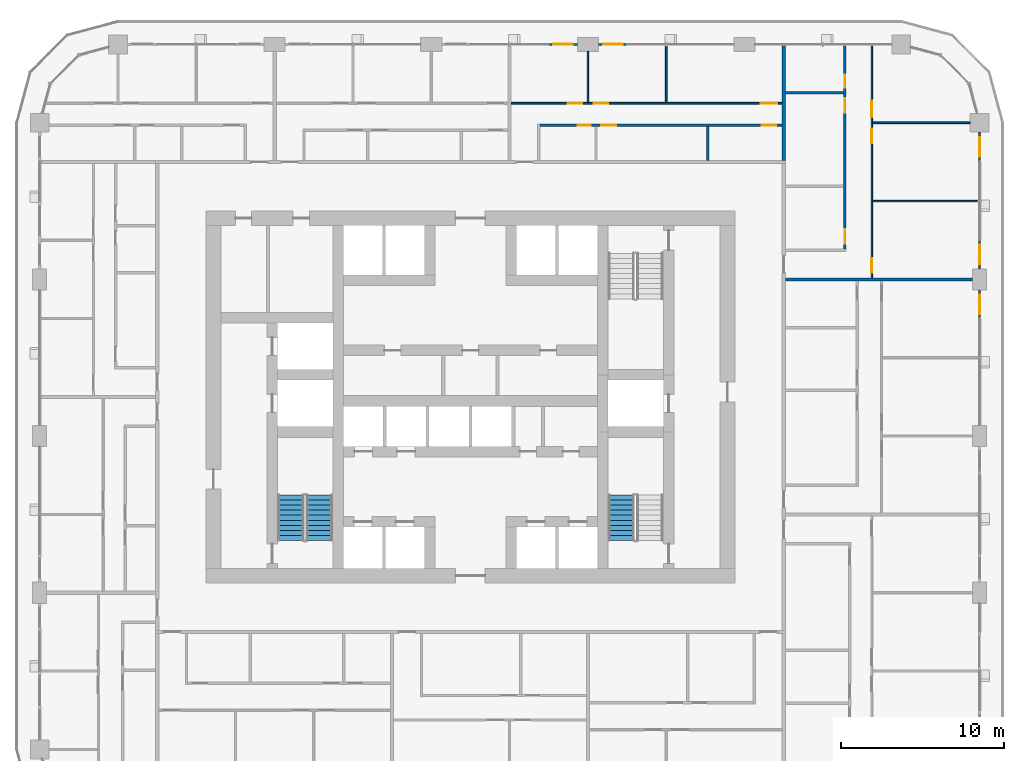
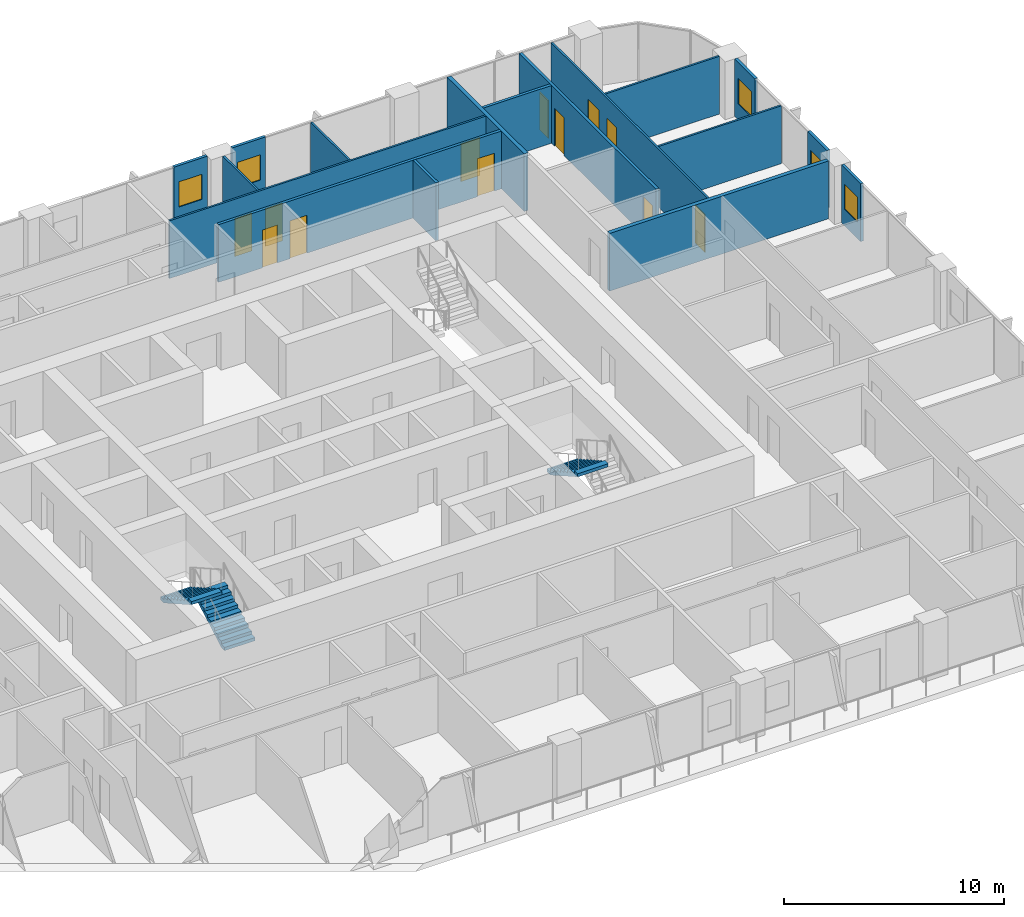
# One storey, part 15 of 22: 17 walls, 12 doors, 5 windows, 3 stair flights, 17 openings, 2 elements without a shape of their own.
"""IFC4 building model written with IfcOpenShell, lengths in metres."""

from ifc_helpers import new_model, si_unit, direction, frame, frame_2d, origin, place, context, subcontext, project, spatial, polyline, rectangle, outline, extrude, material, layer, layer_set, type_object, element, fill, aggregate, save


model = new_model("IFC4")

# Units and contexts
model_context = context("Model", 3, precision=1e-05, world=origin(), true_north=direction((0.0, 1.0)))
body_context = subcontext(model_context, "Body", "Model", "MODEL_VIEW")
ifc_project = project(units=[si_unit("LENGTHUNIT", "METRE"), si_unit("AREAUNIT", "SQUARE_METRE"), si_unit("VOLUMEUNIT", "CUBIC_METRE"), si_unit("PLANEANGLEUNIT", "RADIAN"), si_unit("MASSUNIT", "GRAM", prefix="KILO")], contexts=[model_context])

# Site, building, storey
site_placement = place(None, origin())
site = spatial("IfcSite", under=ifc_project, at=site_placement, CompositionType="ELEMENT")
building_placement = place(site_placement, origin())
building = spatial("IfcBuilding", under=site, at=building_placement, Name="Madar Terraces", CompositionType="ELEMENT")
storey_placement = place(building_placement, frame((0.0, 0.0, 76.800048828125)))
storey = spatial("IfcBuildingStorey", under=building, at=storey_placement, Name="L19", CompositionType="ELEMENT", Elevation=76.800048828125)

# Wall, opening, window
ifc_material_1 = material(Name="Aluminium composite panel, black, over insulated backing", Category="aluminium")
ifc_layer_1 = layer(ifc_material_1, 0.14990234375)
ifc_layer_set_1 = layer_set([ifc_layer_1], Name="Facade bay panel 150")
wall_type_1 = type_object("IfcWallType", Name="Facade bay panel 150", PredefinedType="SOLIDWALL", material=ifc_layer_set_1)
wall_1_placement = place(storey_placement, frame((62.39990234375, 31.199951171875, 0.0), z_axis=(0.0, 0.0, 1.0), x_axis=(0.0, 1.0, 0.0)))
wall_1 = element("IfcWall", 1, at=wall_1_placement, inside=storey, type_object=wall_type_1, Name="Facade bay panel", PredefinedType="SOLIDWALL", context=body_context, shape_type="SweptSolid", body=[
    extrude(rectangle(XDim=1.75, YDim=0.14990234375, at=frame_2d((0.875, 0.0))), origin(), (0.0, 0.0, 1.0), 3.199951171875),
])
opening_1_placement = place(wall_1_placement, frame((0.27490234375, 0.0, 0.89990234375)))
opening_1 = element("IfcOpeningElement", 2, at=opening_1_placement, cuts=wall_1, Name="Opening W1", PredefinedType="OPENING", context=body_context, shape_type="SweptSolid", body=[
    extrude(rectangle(XDim=1.199951171875, YDim=1.39990234375, at=frame_2d((0.60009765625, 0.699951171875))), frame((0.0, 0.0849609375, 0.0), z_axis=(0.0, -1.0, 0.0), x_axis=(1.0, 0.0, 0.0)), (0.0, 0.0, 1.0), 0.169921875),
])
ifc_material_2 = material(Name="Glass, clear, with black aluminium frame", Category="aluminium")
window_type = type_object("IfcWindowType", Name="Vent window 1200 x 1400", PartitioningType="SINGLE_PANEL", PredefinedType="WINDOW", material=ifc_material_2)
window_1_placement = place(opening_1_placement, origin())
window_1 = element("IfcWindow", 3, at=window_1_placement, inside=storey, type_object=window_type, Name="Operable vent window", OverallHeight=1.39990234375, OverallWidth=1.199951171875, PartitioningType="SINGLE_PANEL", PredefinedType="WINDOW", context=body_context, shape_type="SweptSolid", body=[
    extrude(rectangle(XDim=1.199951171875, YDim=1.39990234375, at=frame_2d((0.60009765625, 0.699951171875))), frame((0.0, 0.030029296875, 0.0), z_axis=(0.0, -1.0, 0.0), x_axis=(1.0, 0.0, 0.0)), (0.0, 0.0, 1.0), 0.06005859375),
])
fill(opening_1, window_1)

wall_2_placement = place(storey_placement, frame((62.39990234375, 34.25, 0.0), z_axis=(0.0, 0.0, 1.0), x_axis=(0.0, 1.0, 0.0)))
wall_2 = element("IfcWall", 4, at=wall_2_placement, inside=storey, type_object=wall_type_1, Name="Facade bay panel", PredefinedType="SOLIDWALL", context=body_context, shape_type="SweptSolid", body=[
    extrude(rectangle(XDim=1.75, YDim=0.14990234375, at=frame_2d((0.875, 0.0))), origin(), (0.0, 0.0, 1.0), 3.199951171875),
])
opening_2_placement = place(wall_2_placement, frame((0.27490234375, 0.0, 0.89990234375)))
opening_2 = element("IfcOpeningElement", 5, at=opening_2_placement, cuts=wall_2, Name="Opening W1", PredefinedType="OPENING", context=body_context, shape_type="SweptSolid", body=[
    extrude(rectangle(XDim=1.199951171875, YDim=1.39990234375, at=frame_2d((0.60009765625, 0.699951171875))), frame((0.0, 0.0849609375, 0.0), z_axis=(0.0, -1.0, 0.0), x_axis=(1.0, 0.0, 0.0)), (0.0, 0.0, 1.0), 0.169921875),
])
window_2_placement = place(opening_2_placement, origin())
window_2 = element("IfcWindow", 6, at=window_2_placement, inside=storey, type_object=window_type, Name="Operable vent window", OverallHeight=1.39990234375, OverallWidth=1.199951171875, PartitioningType="SINGLE_PANEL", PredefinedType="WINDOW", context=body_context, shape_type="SweptSolid", body=[
    extrude(rectangle(XDim=1.199951171875, YDim=1.39990234375, at=frame_2d((0.60009765625, 0.699951171875))), frame((0.0, 0.030029296875, 0.0), z_axis=(0.0, -1.0, 0.0), x_axis=(1.0, 0.0, 0.0)), (0.0, 0.0, 1.0), 0.06005859375),
])
fill(opening_2, window_2)

wall_3_placement = place(storey_placement, frame((62.39990234375, 40.800048828125, 0.0), z_axis=(0.0, 0.0, 1.0), x_axis=(0.0, 1.0, 0.0)))
wall_3 = element("IfcWall", 7, at=wall_3_placement, inside=storey, type_object=wall_type_1, Name="Facade bay panel", PredefinedType="SOLIDWALL", context=body_context, shape_type="SweptSolid", body=[
    extrude(rectangle(XDim=1.824951171875, YDim=0.14990234375, at=frame_2d((0.91259765625, 0.0))), origin(), (0.0, 0.0, 1.0), 3.199951171875),
])
opening_3_placement = place(wall_3_placement, frame((0.3125, 0.0, 0.89990234375)))
opening_3 = element("IfcOpeningElement", 8, at=opening_3_placement, cuts=wall_3, Name="Opening W1", PredefinedType="OPENING", context=body_context, shape_type="SweptSolid", body=[
    extrude(rectangle(XDim=1.199951171875, YDim=1.39990234375, at=frame_2d((0.60009765625, 0.699951171875))), frame((0.0, 0.0849609375, 0.0), z_axis=(0.0, -1.0, 0.0), x_axis=(1.0, 0.0, 0.0)), (0.0, 0.0, 1.0), 0.169921875),
])
window_3_placement = place(opening_3_placement, origin())
window_3 = element("IfcWindow", 9, at=window_3_placement, inside=storey, type_object=window_type, Name="Operable vent window", OverallHeight=1.39990234375, OverallWidth=1.199951171875, PartitioningType="SINGLE_PANEL", PredefinedType="WINDOW", context=body_context, shape_type="SweptSolid", body=[
    extrude(rectangle(XDim=1.199951171875, YDim=1.39990234375, at=frame_2d((0.60009765625, 0.699951171875))), frame((0.0, 0.030029296875, 0.0), z_axis=(0.0, -1.0, 0.0), x_axis=(1.0, 0.0, 0.0)), (0.0, 0.0, 1.0), 0.06005859375),
])
fill(opening_3, window_3)

wall_4_placement = place(storey_placement, frame((40.800048828125, 48.0, 0.0), z_axis=(0.0, 0.0, 1.0), x_axis=(-1.0, 0.0, 0.0)))
wall_4 = element("IfcWall", 10, at=wall_4_placement, inside=storey, type_object=wall_type_1, Name="Facade bay panel", PredefinedType="SOLIDWALL", context=body_context, shape_type="SweptSolid", body=[
    extrude(rectangle(XDim=1.75, YDim=0.14990234375, at=frame_2d((0.875, 0.0))), origin(), (0.0, 0.0, 1.0), 3.199951171875),
])
opening_4_placement = place(wall_4_placement, frame((0.27490234375, 0.0, 0.89990234375)))
opening_4 = element("IfcOpeningElement", 11, at=opening_4_placement, cuts=wall_4, Name="Opening W1", PredefinedType="OPENING", context=body_context, shape_type="SweptSolid", body=[
    extrude(rectangle(XDim=1.199951171875, YDim=1.39990234375, at=frame_2d((0.60009765625, 0.699951171875))), frame((0.0, 0.0849609375, 0.0), z_axis=(0.0, -1.0, 0.0), x_axis=(1.0, 0.0, 0.0)), (0.0, 0.0, 1.0), 0.169921875),
])
window_4_placement = place(opening_4_placement, origin())
window_4 = element("IfcWindow", 12, at=window_4_placement, inside=storey, type_object=window_type, Name="Operable vent window", OverallHeight=1.39990234375, OverallWidth=1.199951171875, PartitioningType="SINGLE_PANEL", PredefinedType="WINDOW", context=body_context, shape_type="SweptSolid", body=[
    extrude(rectangle(XDim=1.199951171875, YDim=1.39990234375, at=frame_2d((0.60009765625, 0.699951171875))), frame((0.0, 0.030029296875, 0.0), z_axis=(0.0, -1.0, 0.0), x_axis=(1.0, 0.0, 0.0)), (0.0, 0.0, 1.0), 0.06005859375),
])
fill(opening_4, window_4)

wall_5_placement = place(storey_placement, frame((37.75, 48.0, 0.0), z_axis=(0.0, 0.0, 1.0), x_axis=(-1.0, 0.0, 0.0)))
wall_5 = element("IfcWall", 13, at=wall_5_placement, inside=storey, type_object=wall_type_1, Name="Facade bay panel", PredefinedType="SOLIDWALL", context=body_context, shape_type="SweptSolid", body=[
    extrude(rectangle(XDim=1.75, YDim=0.14990234375, at=frame_2d((0.875, 0.0))), origin(), (0.0, 0.0, 1.0), 3.199951171875),
])
opening_5_placement = place(wall_5_placement, frame((0.27490234375, 0.0, 0.89990234375)))
opening_5 = element("IfcOpeningElement", 14, at=opening_5_placement, cuts=wall_5, Name="Opening W1", PredefinedType="OPENING", context=body_context, shape_type="SweptSolid", body=[
    extrude(rectangle(XDim=1.199951171875, YDim=1.39990234375, at=frame_2d((0.60009765625, 0.699951171875))), frame((0.0, 0.0849609375, 0.0), z_axis=(0.0, -1.0, 0.0), x_axis=(1.0, 0.0, 0.0)), (0.0, 0.0, 1.0), 0.169921875),
])
window_5_placement = place(opening_5_placement, origin())
window_5 = element("IfcWindow", 15, at=window_5_placement, inside=storey, type_object=window_type, Name="Operable vent window", OverallHeight=1.39990234375, OverallWidth=1.199951171875, PartitioningType="SINGLE_PANEL", PredefinedType="WINDOW", context=body_context, shape_type="SweptSolid", body=[
    extrude(rectangle(XDim=1.199951171875, YDim=1.39990234375, at=frame_2d((0.60009765625, 0.699951171875))), frame((0.0, 0.030029296875, 0.0), z_axis=(0.0, -1.0, 0.0), x_axis=(1.0, 0.0, 0.0)), (0.0, 0.0, 1.0), 0.06005859375),
])
fill(opening_5, window_5)

# Walls
ifc_material_3 = material(Name="Gypsum board on steel studs", Category="steel")
ifc_layer_2 = layer(ifc_material_3, 0.10009765625)
ifc_layer_set_2 = layer_set([ifc_layer_2], Name="Flat partition 100")
wall_type_2 = type_object("IfcWallType", Name="Flat partition 100", PredefinedType="PARTITIONING", material=ifc_layer_set_2)
wall_6_placement = place(storey_placement, frame((55.85009765625, 38.39990234375, 0.0), z_axis=(0.0, 0.0, 1.0), x_axis=(1.0, 0.0, 0.0)))
element("IfcWall", 16, at=wall_6_placement, inside=storey, type_object=wall_type_2, Name="Flat partition 100", PredefinedType="PARTITIONING", context=body_context, shape_type="SweptSolid", body=[
    extrude(rectangle(XDim=6.449951171875, YDim=0.10009765625, at=frame_2d((3.22509765625, 0.0))), origin(), (0.0, 0.0, 1.0), 3.199951171875),
])
wall_7_placement = place(storey_placement, frame((55.85009765625, 43.199951171875, 0.0), z_axis=(0.0, 0.0, 1.0), x_axis=(1.0, 0.0, 0.0)))
element("IfcWall", 17, at=wall_7_placement, inside=storey, type_object=wall_type_2, Name="Flat partition 100", PredefinedType="PARTITIONING", context=body_context, shape_type="SweptSolid", body=[
    extrude(rectangle(XDim=5.974853515625, YDim=0.10009765625, at=frame_2d((2.9873046875, 0.0))), origin(), (0.0, 0.0, 1.0), 3.199951171875),
])

# Wall, openings, doors
wall_8_placement = place(storey_placement, frame((55.800048828125, 47.89990234375, 0.0), z_axis=(0.0, 0.0, 1.0), x_axis=(0.0, -1.0, 0.0)))
wall_8 = element("IfcWall", 18, at=wall_8_placement, inside=storey, type_object=wall_type_2, Name="Flat partition 100", PredefinedType="PARTITIONING", context=body_context, shape_type="SweptSolid", body=[
    extrude(rectangle(XDim=14.199951171875, YDim=0.10009765625, at=frame_2d((7.10009765625, 0.0))), origin(), (0.0, 0.0, 1.0), 3.199951171875),
])
opening_6_placement = place(wall_8_placement, frame((13.0, 0.0, 0.0)))
opening_6 = element("IfcOpeningElement", 19, at=opening_6_placement, cuts=wall_8, Name="Opening D2", PredefinedType="OPENING", context=body_context, shape_type="SweptSolid", body=[
    extrude(rectangle(XDim=0.89990234375, YDim=2.10009765625, at=frame_2d((0.449951171875, 1.050048828125))), frame((0.0, 0.06005859375, 0.0), z_axis=(0.0, -1.0, 0.0), x_axis=(1.0, 0.0, 0.0)), (0.0, 0.0, 1.0), 0.1201171875),
])
opening_7_placement = place(wall_8_placement, frame((5.050048828125, 0.0, 0.0)))
opening_7 = element("IfcOpeningElement", 20, at=opening_7_placement, cuts=wall_8, Name="Opening D2", PredefinedType="OPENING", context=body_context, shape_type="SweptSolid", body=[
    extrude(rectangle(XDim=0.89990234375, YDim=2.10009765625, at=frame_2d((0.449951171875, 1.050048828125))), frame((0.0, 0.06005859375, 0.0), z_axis=(0.0, -1.0, 0.0), x_axis=(1.0, 0.0, 0.0)), (0.0, 0.0, 1.0), 0.1201171875),
])
opening_8_placement = place(wall_8_placement, frame((3.35009765625, 0.0, 0.0)))
opening_8 = element("IfcOpeningElement", 21, at=opening_8_placement, cuts=wall_8, Name="Opening D3", PredefinedType="OPENING", context=body_context, shape_type="SweptSolid", body=[
    extrude(rectangle(XDim=1.0, YDim=2.10009765625, at=frame_2d((0.5, 1.050048828125))), frame((0.0, 0.06005859375, 0.0), z_axis=(0.0, -1.0, 0.0), x_axis=(1.0, 0.0, 0.0)), (0.0, 0.0, 1.0), 0.1201171875),
])
ifc_material_4 = material(Name="Timber door leaf", Category="wood")
door_type_1 = type_object("IfcDoorType", Name="Flat living room door 1000", OperationType="NOTDEFINED", PredefinedType="DOOR", material=ifc_material_4)
door_1_placement = place(opening_8_placement, origin())
door_1 = element("IfcDoor", 22, at=door_1_placement, inside=storey, type_object=door_type_1, Name="Flat living room door 1000", OperationType="SINGLE_SWING_RIGHT", OverallHeight=2.10009765625, OverallWidth=1.0, PredefinedType="DOOR", context=body_context, shape_type="SweptSolid", body=[
    extrude(rectangle(XDim=1.0, YDim=2.10009765625, at=frame_2d((0.5, 1.050048828125))), frame((0.0, 0.02490234375, 0.0), z_axis=(0.0, -1.0, 0.0), x_axis=(1.0, 0.0, 0.0)), (0.0, 0.0, 1.0), 0.050048828125),
])
fill(opening_8, door_1)
ifc_material_5 = material(Name="Timber door leaf", Category="wood")
door_type_2 = type_object("IfcDoorType", Name="Flat room door 900", OperationType="NOTDEFINED", PredefinedType="DOOR", material=ifc_material_5)
door_2_placement = place(opening_6_placement, origin())
door_2 = element("IfcDoor", 23, at=door_2_placement, inside=storey, type_object=door_type_2, Name="Flat room door 900", OperationType="SINGLE_SWING_RIGHT", OverallHeight=2.10009765625, OverallWidth=0.89990234375, PredefinedType="DOOR", context=body_context, shape_type="SweptSolid", body=[
    extrude(rectangle(XDim=0.89990234375, YDim=2.10009765625, at=frame_2d((0.449951171875, 1.050048828125))), frame((0.0, 0.02490234375, 0.0), z_axis=(0.0, -1.0, 0.0), x_axis=(1.0, 0.0, 0.0)), (0.0, 0.0, 1.0), 0.050048828125),
])
fill(opening_6, door_2)
door_3_placement = place(opening_7_placement, origin())
door_3 = element("IfcDoor", 24, at=door_3_placement, inside=storey, type_object=door_type_2, Name="Flat room door 900", OperationType="SINGLE_SWING_LEFT", OverallHeight=2.10009765625, OverallWidth=0.89990234375, PredefinedType="DOOR", context=body_context, shape_type="SweptSolid", body=[
    extrude(rectangle(XDim=0.89990234375, YDim=2.10009765625, at=frame_2d((0.449951171875, 1.050048828125))), frame((0.0, 0.02490234375, 0.0), z_axis=(0.0, -1.0, 0.0), x_axis=(1.0, 0.0, 0.0)), (0.0, 0.0, 1.0), 0.050048828125),
])
fill(opening_7, door_3)

# Walls
wall_9_placement = place(storey_placement, frame((38.39990234375, 44.449951171875, 0.0), z_axis=(0.0, 0.0, 1.0), x_axis=(0.0, 1.0, 0.0)))
element("IfcWall", 25, at=wall_9_placement, inside=storey, type_object=wall_type_2, Name="Flat partition 100", PredefinedType="PARTITIONING", context=body_context, shape_type="SweptSolid", body=[
    extrude(rectangle(XDim=3.125, YDim=0.10009765625, at=frame_2d((1.5625, 0.0))), origin(), (0.0, 0.0, 1.0), 3.199951171875),
])
wall_10_placement = place(storey_placement, frame((43.199951171875, 44.449951171875, 0.0), z_axis=(0.0, 0.0, 1.0), x_axis=(0.0, 1.0, 0.0)))
element("IfcWall", 26, at=wall_10_placement, inside=storey, type_object=wall_type_2, Name="Flat partition 100", PredefinedType="PARTITIONING", context=body_context, shape_type="SweptSolid", body=[
    extrude(rectangle(XDim=3.449951171875, YDim=0.10009765625, at=frame_2d((1.72509765625, 0.0))), origin(), (0.0, 0.0, 1.0), 3.199951171875),
])

# Wall, openings, doors
wall_11_placement = place(storey_placement, frame((33.699951171875, 44.39990234375, 0.0), z_axis=(0.0, 0.0, 1.0), x_axis=(1.0, 0.0, 0.0)))
wall_11 = element("IfcWall", 27, at=wall_11_placement, inside=storey, type_object=wall_type_2, Name="Flat partition 100", PredefinedType="PARTITIONING", context=body_context, shape_type="SweptSolid", body=[
    extrude(rectangle(XDim=16.60009765625, YDim=0.10009765625, at=frame_2d((8.300048828125, 0.0))), origin(), (0.0, 0.0, 1.0), 3.199951171875),
])
opening_9_placement = place(wall_11_placement, frame((3.449951171875, 0.0, 0.0)))
opening_9 = element("IfcOpeningElement", 28, at=opening_9_placement, cuts=wall_11, Name="Opening D2", PredefinedType="OPENING", context=body_context, shape_type="SweptSolid", body=[
    extrude(rectangle(XDim=0.89990234375, YDim=2.10009765625, at=frame_2d((0.449951171875, 1.050048828125))), frame((0.0, 0.06005859375, 0.0), z_axis=(0.0, -1.0, 0.0), x_axis=(1.0, 0.0, 0.0)), (0.0, 0.0, 1.0), 0.1201171875),
])
opening_10_placement = place(wall_11_placement, frame((5.050048828125, 0.0, 0.0)))
opening_10 = element("IfcOpeningElement", 29, at=opening_10_placement, cuts=wall_11, Name="Opening D2", PredefinedType="OPENING", context=body_context, shape_type="SweptSolid", body=[
    extrude(rectangle(XDim=0.89990234375, YDim=2.10009765625, at=frame_2d((0.449951171875, 1.050048828125))), frame((0.0, 0.06005859375, 0.0), z_axis=(0.0, -1.0, 0.0), x_axis=(1.0, 0.0, 0.0)), (0.0, 0.0, 1.0), 0.1201171875),
])
opening_11_placement = place(wall_11_placement, frame((15.300048828125, 0.0, 0.0)))
opening_11 = element("IfcOpeningElement", 30, at=opening_11_placement, cuts=wall_11, Name="Opening D3", PredefinedType="OPENING", context=body_context, shape_type="SweptSolid", body=[
    extrude(rectangle(XDim=1.0, YDim=2.10009765625, at=frame_2d((0.5, 1.050048828125))), frame((0.0, 0.06005859375, 0.0), z_axis=(0.0, -1.0, 0.0), x_axis=(1.0, 0.0, 0.0)), (0.0, 0.0, 1.0), 0.1201171875),
])
door_4_placement = place(opening_11_placement, origin())
door_4 = element("IfcDoor", 31, at=door_4_placement, inside=storey, type_object=door_type_1, Name="Flat living room door 1000", OperationType="SINGLE_SWING_RIGHT", OverallHeight=2.10009765625, OverallWidth=1.0, PredefinedType="DOOR", context=body_context, shape_type="SweptSolid", body=[
    extrude(rectangle(XDim=1.0, YDim=2.10009765625, at=frame_2d((0.5, 1.050048828125))), frame((0.0, 0.02490234375, 0.0), z_axis=(0.0, -1.0, 0.0), x_axis=(1.0, 0.0, 0.0)), (0.0, 0.0, 1.0), 0.050048828125),
])
fill(opening_11, door_4)
door_5_placement = place(opening_9_placement, origin())
door_5 = element("IfcDoor", 32, at=door_5_placement, inside=storey, type_object=door_type_2, Name="Flat room door 900", OperationType="SINGLE_SWING_RIGHT", OverallHeight=2.10009765625, OverallWidth=0.89990234375, PredefinedType="DOOR", context=body_context, shape_type="SweptSolid", body=[
    extrude(rectangle(XDim=0.89990234375, YDim=2.10009765625, at=frame_2d((0.449951171875, 1.050048828125))), frame((0.0, 0.02490234375, 0.0), z_axis=(0.0, -1.0, 0.0), x_axis=(1.0, 0.0, 0.0)), (0.0, 0.0, 1.0), 0.050048828125),
])
fill(opening_9, door_5)
door_6_placement = place(opening_10_placement, origin())
door_6 = element("IfcDoor", 33, at=door_6_placement, inside=storey, type_object=door_type_2, Name="Flat room door 900", OperationType="SINGLE_SWING_LEFT", OverallHeight=2.10009765625, OverallWidth=0.89990234375, PredefinedType="DOOR", context=body_context, shape_type="SweptSolid", body=[
    extrude(rectangle(XDim=0.89990234375, YDim=2.10009765625, at=frame_2d((0.449951171875, 1.050048828125))), frame((0.0, 0.02490234375, 0.0), z_axis=(0.0, -1.0, 0.0), x_axis=(1.0, 0.0, 0.0)), (0.0, 0.0, 1.0), 0.050048828125),
])
fill(opening_10, door_6)

# Walls
ifc_material_6 = material(Name="Lightweight blockwork", Category="masonry")
ifc_layer_3 = layer(ifc_material_6, 0.199951171875)
ifc_layer_set_3 = layer_set([ifc_layer_3], Name="Flat party and entrance wall 200")
wall_type_3 = type_object("IfcWallType", Name="Flat party and entrance wall 200", PredefinedType="PARTITIONING", material=ifc_layer_set_3)
wall_12_placement = place(storey_placement, frame((50.5, 33.60009765625, 0.0), z_axis=(0.0, 0.0, 1.0), x_axis=(1.0, 0.0, 0.0)))
element("IfcWall", 34, at=wall_12_placement, inside=storey, type_object=wall_type_3, Name="Flat party and entrance wall 200", PredefinedType="PARTITIONING", context=body_context, shape_type="SweptSolid", body=[
    extrude(rectangle(XDim=11.47509765625, YDim=0.199951171875, at=frame_2d((5.737548828125, 0.0))), origin(), (0.0, 0.0, 1.0), 3.199951171875),
])
wall_13_placement = place(storey_placement, frame((50.39990234375, 40.89990234375, 0.0), z_axis=(0.0, 0.0, 1.0), x_axis=(0.0, 1.0, 0.0)))
element("IfcWall", 35, at=wall_13_placement, inside=storey, type_object=wall_type_3, Name="Flat party and entrance wall 200", PredefinedType="PARTITIONING", context=body_context, shape_type="SweptSolid", body=[
    extrude(rectangle(XDim=7.0, YDim=0.199951171875, at=frame_2d((3.5, 0.0))), origin(), (0.0, 0.0, 1.0), 3.199951171875),
])
ifc_material_7 = material(Name="Lightweight blockwork", Category="masonry")
ifc_layer_4 = layer(ifc_material_7, 0.14990234375)
ifc_layer_set_4 = layer_set([ifc_layer_4], Name="Flat wet-room partition 150")
wall_type_4 = type_object("IfcWallType", Name="Flat wet-room partition 150", PredefinedType="PARTITIONING", material=ifc_layer_set_4)
wall_14_placement = place(storey_placement, frame((50.5, 45.03271484375, 0.0), z_axis=(0.0, 0.0, 1.0), x_axis=(1.0, 0.0, 0.0)))
element("IfcWall", 36, at=wall_14_placement, inside=storey, type_object=wall_type_4, Name="Flat wet-room partition 150", PredefinedType="PARTITIONING", context=body_context, shape_type="SweptSolid", body=[
    extrude(rectangle(XDim=3.574951171875, YDim=0.14990234375, at=frame_2d((1.78759765625, 0.0))), origin(), (0.0, 0.0, 1.0), 3.199951171875),
])

# Wall, openings, doors
wall_15_placement = place(storey_placement, frame((54.14990234375, 35.47509765625, 0.0), z_axis=(0.0, 0.0, 1.0), x_axis=(0.0, 1.0, 0.0)))
wall_15 = element("IfcWall", 37, at=wall_15_placement, inside=storey, type_object=wall_type_4, Name="Flat wet-room partition 150", PredefinedType="PARTITIONING", context=body_context, shape_type="SweptSolid", body=[
    extrude(rectangle(XDim=12.4248046875, YDim=0.14990234375, at=frame_2d((6.21240234375, 0.0))), origin(), (0.0, 0.0, 1.0), 3.199951171875),
])
opening_12_placement = place(wall_15_placement, frame((0.300048828125, 0.0, 0.0)))
opening_12 = element("IfcOpeningElement", 38, at=opening_12_placement, cuts=wall_15, Name="Opening D5", PredefinedType="OPENING", context=body_context, shape_type="SweptSolid", body=[
    extrude(rectangle(XDim=0.89990234375, YDim=2.10009765625, at=frame_2d((0.449951171875, 1.050048828125))), frame((0.0, 0.0849609375, 0.0), z_axis=(0.0, -1.0, 0.0), x_axis=(1.0, 0.0, 0.0)), (0.0, 0.0, 1.0), 0.169921875),
])
opening_13_placement = place(wall_15_placement, frame((8.332763671875, 0.0, 0.0)))
opening_13 = element("IfcOpeningElement", 39, at=opening_13_placement, cuts=wall_15, Name="Opening D2", PredefinedType="OPENING", context=body_context, shape_type="SweptSolid", body=[
    extrude(rectangle(XDim=0.89990234375, YDim=2.10009765625, at=frame_2d((0.449951171875, 1.050048828125))), frame((0.0, 0.0849609375, 0.0), z_axis=(0.0, -1.0, 0.0), x_axis=(1.0, 0.0, 0.0)), (0.0, 0.0, 1.0), 0.169921875),
])
opening_14_placement = place(wall_15_placement, frame((9.8828125, 0.0, 0.0)))
opening_14 = element("IfcOpeningElement", 40, at=opening_14_placement, cuts=wall_15, Name="Opening D4", PredefinedType="OPENING", context=body_context, shape_type="SweptSolid", body=[
    extrude(rectangle(XDim=0.800048828125, YDim=2.10009765625, at=frame_2d((0.39990234375, 1.050048828125))), frame((0.0, 0.0849609375, 0.0), z_axis=(0.0, -1.0, 0.0), x_axis=(1.0, 0.0, 0.0)), (0.0, 0.0, 1.0), 0.169921875),
])
ifc_material_8 = material(Name="Timber door leaf", Category="wood")
door_type_3 = type_object("IfcDoorType", Name="Flat accessible bathroom door 900", OperationType="NOTDEFINED", PredefinedType="DOOR", material=ifc_material_8)
door_7_placement = place(opening_12_placement, origin())
door_7 = element("IfcDoor", 41, at=door_7_placement, inside=storey, type_object=door_type_3, Name="Flat accessible bathroom door 900", OperationType="SINGLE_SWING_LEFT", OverallHeight=2.10009765625, OverallWidth=0.89990234375, PredefinedType="DOOR", context=body_context, shape_type="SweptSolid", body=[
    extrude(rectangle(XDim=0.89990234375, YDim=2.10009765625, at=frame_2d((0.449951171875, 1.050048828125))), frame((0.0, 0.02490234375, 0.0), z_axis=(0.0, -1.0, 0.0), x_axis=(1.0, 0.0, 0.0)), (0.0, 0.0, 1.0), 0.050048828125),
])
fill(opening_12, door_7)
ifc_material_9 = material(Name="Timber door leaf", Category="wood")
door_type_4 = type_object("IfcDoorType", Name="Flat bathroom door 800", OperationType="NOTDEFINED", PredefinedType="DOOR", material=ifc_material_9)
door_8_placement = place(opening_14_placement, origin())
door_8 = element("IfcDoor", 42, at=door_8_placement, inside=storey, type_object=door_type_4, Name="Flat bathroom door 800", OperationType="SINGLE_SWING_LEFT", OverallHeight=2.10009765625, OverallWidth=0.800048828125, PredefinedType="DOOR", context=body_context, shape_type="SweptSolid", body=[
    extrude(rectangle(XDim=0.800048828125, YDim=2.10009765625, at=frame_2d((0.39990234375, 1.050048828125))), frame((0.0, 0.02490234375, 0.0), z_axis=(0.0, -1.0, 0.0), x_axis=(1.0, 0.0, 0.0)), (0.0, 0.0, 1.0), 0.050048828125),
])
fill(opening_14, door_8)
door_9_placement = place(opening_13_placement, origin())
door_9 = element("IfcDoor", 43, at=door_9_placement, inside=storey, type_object=door_type_2, Name="Flat room door 900", OperationType="SINGLE_SWING_RIGHT", OverallHeight=2.10009765625, OverallWidth=0.89990234375, PredefinedType="DOOR", context=body_context, shape_type="SweptSolid", body=[
    extrude(rectangle(XDim=0.89990234375, YDim=2.10009765625, at=frame_2d((0.449951171875, 1.050048828125))), frame((0.0, 0.02490234375, 0.0), z_axis=(0.0, -1.0, 0.0), x_axis=(1.0, 0.0, 0.0)), (0.0, 0.0, 1.0), 0.050048828125),
])
fill(opening_13, door_9)

# Wall
wall_16_placement = place(storey_placement, frame((45.738525390625, 40.89990234375, 0.0), z_axis=(0.0, 0.0, 1.0), x_axis=(0.0, 1.0, 0.0)))
element("IfcWall", 44, at=wall_16_placement, inside=storey, type_object=wall_type_4, Name="Flat wet-room partition 150", PredefinedType="PARTITIONING", context=body_context, shape_type="SweptSolid", body=[
    extrude(rectangle(XDim=2.0751953125, YDim=0.14990234375, at=frame_2d((1.03759765625, 0.0))), origin(), (0.0, 0.0, 1.0), 3.199951171875),
])

# Wall, openings, doors
wall_17_placement = place(storey_placement, frame((50.300048828125, 43.050048828125, 0.0), z_axis=(0.0, 0.0, 1.0), x_axis=(-1.0, 0.0, 0.0)))
wall_17 = element("IfcWall", 45, at=wall_17_placement, inside=storey, type_object=wall_type_4, Name="Flat wet-room partition 150", PredefinedType="PARTITIONING", context=body_context, shape_type="SweptSolid", body=[
    extrude(rectangle(XDim=14.824951171875, YDim=0.14990234375, at=frame_2d((7.41259765625, 0.0))), origin(), (0.0, 0.0, 1.0), 3.199951171875),
])
opening_15_placement = place(wall_17_placement, frame((11.728759765625, 0.0, 0.0)))
opening_15 = element("IfcOpeningElement", 46, at=opening_15_placement, cuts=wall_17, Name="Opening D4", PredefinedType="OPENING", context=body_context, shape_type="SweptSolid", body=[
    extrude(rectangle(XDim=0.800048828125, YDim=2.10009765625, at=frame_2d((0.39990234375, 1.050048828125))), frame((0.0, 0.0849609375, 0.0), z_axis=(0.0, -1.0, 0.0), x_axis=(1.0, 0.0, 0.0)), (0.0, 0.0, 1.0), 0.169921875),
])
opening_16_placement = place(wall_17_placement, frame((10.1787109375, 0.0, 0.0)))
opening_16 = element("IfcOpeningElement", 47, at=opening_16_placement, cuts=wall_17, Name="Opening D2", PredefinedType="OPENING", context=body_context, shape_type="SweptSolid", body=[
    extrude(rectangle(XDim=0.89990234375, YDim=2.10009765625, at=frame_2d((0.449951171875, 1.050048828125))), frame((0.0, 0.0849609375, 0.0), z_axis=(0.0, -1.0, 0.0), x_axis=(1.0, 0.0, 0.0)), (0.0, 0.0, 1.0), 0.169921875),
])
opening_17_placement = place(wall_17_placement, frame((0.35009765625, 0.0, 0.0)))
opening_17 = element("IfcOpeningElement", 48, at=opening_17_placement, cuts=wall_17, Name="Opening D5", PredefinedType="OPENING", context=body_context, shape_type="SweptSolid", body=[
    extrude(rectangle(XDim=0.89990234375, YDim=2.10009765625, at=frame_2d((0.449951171875, 1.050048828125))), frame((0.0, 0.0849609375, 0.0), z_axis=(0.0, -1.0, 0.0), x_axis=(1.0, 0.0, 0.0)), (0.0, 0.0, 1.0), 0.169921875),
])
door_10_placement = place(opening_17_placement, origin())
door_10 = element("IfcDoor", 49, at=door_10_placement, inside=storey, type_object=door_type_3, Name="Flat accessible bathroom door 900", OperationType="SINGLE_SWING_LEFT", OverallHeight=2.10009765625, OverallWidth=0.89990234375, PredefinedType="DOOR", context=body_context, shape_type="SweptSolid", body=[
    extrude(rectangle(XDim=0.89990234375, YDim=2.10009765625, at=frame_2d((0.449951171875, 1.050048828125))), frame((0.0, 0.02490234375, 0.0), z_axis=(0.0, -1.0, 0.0), x_axis=(1.0, 0.0, 0.0)), (0.0, 0.0, 1.0), 0.050048828125),
])
fill(opening_17, door_10)
door_11_placement = place(opening_15_placement, origin())
door_11 = element("IfcDoor", 50, at=door_11_placement, inside=storey, type_object=door_type_4, Name="Flat bathroom door 800", OperationType="SINGLE_SWING_LEFT", OverallHeight=2.10009765625, OverallWidth=0.800048828125, PredefinedType="DOOR", context=body_context, shape_type="SweptSolid", body=[
    extrude(rectangle(XDim=0.800048828125, YDim=2.10009765625, at=frame_2d((0.39990234375, 1.050048828125))), frame((0.0, 0.02490234375, 0.0), z_axis=(0.0, -1.0, 0.0), x_axis=(1.0, 0.0, 0.0)), (0.0, 0.0, 1.0), 0.050048828125),
])
fill(opening_15, door_11)
door_12_placement = place(opening_16_placement, origin())
door_12 = element("IfcDoor", 51, at=door_12_placement, inside=storey, type_object=door_type_2, Name="Flat room door 900", OperationType="SINGLE_SWING_RIGHT", OverallHeight=2.10009765625, OverallWidth=0.89990234375, PredefinedType="DOOR", context=body_context, shape_type="SweptSolid", body=[
    extrude(rectangle(XDim=0.89990234375, YDim=2.10009765625, at=frame_2d((0.449951171875, 1.050048828125))), frame((0.0, 0.02490234375, 0.0), z_axis=(0.0, -1.0, 0.0), x_axis=(1.0, 0.0, 0.0)), (0.0, 0.0, 1.0), 0.050048828125),
])
fill(opening_16, door_12)

# Stair, stair flights
ifc_material_10 = material(Name="Concrete C50/60", Category="concrete")
stair_type_1 = type_object("IfcStairType", Name="Stair ST1 protected exit", PredefinedType="HALF_TURN_STAIR", material=ifc_material_10)
stair_1_placement = place(storey_placement, origin())
stair_1 = element("IfcStair", 52, at=stair_1_placement, inside=storey, type_object=stair_type_1, Name="L19 Protected Exit Stair ST1", PredefinedType="HALF_TURN_STAIR")
ifc_material_11 = material(Name="Concrete C50/60", Category="concrete")
stair_flight_type_1 = type_object("IfcStairFlightType", Name="Stair flight ST1-F4, 1600 wide, 10 risers", PredefinedType="STRAIGHT", material=ifc_material_11)
stair_flight_1_placement = place(storey_placement, frame((21.949951171875, 17.60009765625, 0.0), z_axis=(0.0, 0.0, 1.0), x_axis=(0.0, 1.0, 0.0)))
stair_flight_1 = element("IfcStairFlight", 53, at=stair_flight_1_placement, type_object=stair_flight_type_1, Name="ST1 flight 1", NumberOfRisers=10, NumberOfTreads=9, PredefinedType="STRAIGHT", RiserHeight=0.175, TreadLength=0.31, context=body_context, shape_type="SweptSolid", body=[
    extrude(outline(polyline([(0.0, 0.0), (0.0, 0.175048828125), (0.31005859375, 0.175048828125), (0.31005859375, 0.35009765625), (0.6201171875, 0.35009765625), (0.6201171875, 0.52490234375), (0.929931640625, 0.52490234375), (0.929931640625, 0.699951171875), (1.239990234375, 0.699951171875), (1.239990234375, 0.875), (1.550048828125, 0.875), (1.550048828125, 1.050048828125), (1.860107421875, 1.050048828125), (1.860107421875, 1.22509765625), (2.169921875, 1.22509765625), (2.169921875, 1.39990234375), (2.47998046875, 1.39990234375), (2.47998046875, 1.574951171875), (2.7900390625, 1.574951171875), (2.7900390625, 1.75), (2.7900390625, 1.40283203125), (0.304931640625, 0.0), (0.0, 0.0)])), frame((0.0, 0.800048828125, 0.0), z_axis=(0.0, -1.0, 0.0), x_axis=(1.0, 0.0, 0.0)), (0.0, 0.0, 1.0), 1.60009765625),
])
stair_flight_2_placement = place(storey_placement, frame((20.199951171875, 20.389892578125, 1.75), z_axis=(0.0, 0.0, 1.0), x_axis=(0.0, -1.0, 0.0)))
stair_flight_2 = element("IfcStairFlight", 54, at=stair_flight_2_placement, type_object=stair_flight_type_1, Name="ST1 flight 2", NumberOfRisers=10, NumberOfTreads=9, PredefinedType="STRAIGHT", RiserHeight=0.175, TreadLength=0.31, context=body_context, shape_type="SweptSolid", body=[
    extrude(outline(polyline([(0.0, 0.0), (0.0, 0.175048828125), (0.31005859375, 0.175048828125), (0.31005859375, 0.35009765625), (0.6201171875, 0.35009765625), (0.6201171875, 0.52490234375), (0.929931640625, 0.52490234375), (0.929931640625, 0.699951171875), (1.239990234375, 0.699951171875), (1.239990234375, 0.875), (1.550048828125, 0.875), (1.550048828125, 1.050048828125), (1.860107421875, 1.050048828125), (1.860107421875, 1.22509765625), (2.169921875, 1.22509765625), (2.169921875, 1.39990234375), (2.47998046875, 1.39990234375), (2.47998046875, 1.574951171875), (2.7900390625, 1.574951171875), (2.7900390625, 1.75), (2.7900390625, 1.40283203125), (0.304931640625, 0.0), (0.0, 0.0)])), frame((0.0, 0.800048828125, 0.0), z_axis=(0.0, -1.0, 0.0), x_axis=(1.0, 0.0, 0.0)), (0.0, 0.0, 1.0), 1.60009765625),
])
aggregate(stair_1, [stair_flight_1, stair_flight_2])

# Stair, stair flight
ifc_material_12 = material(Name="Concrete C50/60", Category="concrete")
stair_type_2 = type_object("IfcStairType", Name="Stair ST3 protected exit", PredefinedType="HALF_TURN_STAIR", material=ifc_material_12)
stair_2_placement = place(storey_placement, origin())
stair_2 = element("IfcStair", 55, at=stair_2_placement, inside=storey, type_object=stair_type_2, Name="L19 Protected Exit Stair ST3", PredefinedType="HALF_TURN_STAIR")
ifc_material_13 = material(Name="Concrete C50/60", Category="concrete")
stair_flight_type_2 = type_object("IfcStairFlightType", Name="Stair flight ST3-F4, 1600 wide, 10 risers", PredefinedType="STRAIGHT", material=ifc_material_13)
stair_flight_3_placement = place(storey_placement, frame((40.449951171875, 20.389892578125, 1.75), z_axis=(0.0, 0.0, 1.0), x_axis=(0.0, -1.0, 0.0)))
stair_flight_3 = element("IfcStairFlight", 56, at=stair_flight_3_placement, type_object=stair_flight_type_2, Name="ST3 flight 2", NumberOfRisers=10, NumberOfTreads=9, PredefinedType="STRAIGHT", RiserHeight=0.175, TreadLength=0.31, context=body_context, shape_type="SweptSolid", body=[
    extrude(outline(polyline([(0.0, 0.0), (0.0, 0.175048828125), (0.31005859375, 0.175048828125), (0.31005859375, 0.35009765625), (0.6201171875, 0.35009765625), (0.6201171875, 0.52490234375), (0.929931640625, 0.52490234375), (0.929931640625, 0.699951171875), (1.239990234375, 0.699951171875), (1.239990234375, 0.875), (1.550048828125, 0.875), (1.550048828125, 1.050048828125), (1.860107421875, 1.050048828125), (1.860107421875, 1.22509765625), (2.169921875, 1.22509765625), (2.169921875, 1.39990234375), (2.47998046875, 1.39990234375), (2.47998046875, 1.574951171875), (2.7900390625, 1.574951171875), (2.7900390625, 1.75), (2.7900390625, 1.40283203125), (0.304931640625, 0.0), (0.0, 0.0)])), frame((0.0, 0.800048828125, 0.0), z_axis=(0.0, -1.0, 0.0), x_axis=(1.0, 0.0, 0.0)), (0.0, 0.0, 1.0), 1.60009765625),
])
aggregate(stair_2, [stair_flight_3])

save(model, "model.ifc")
